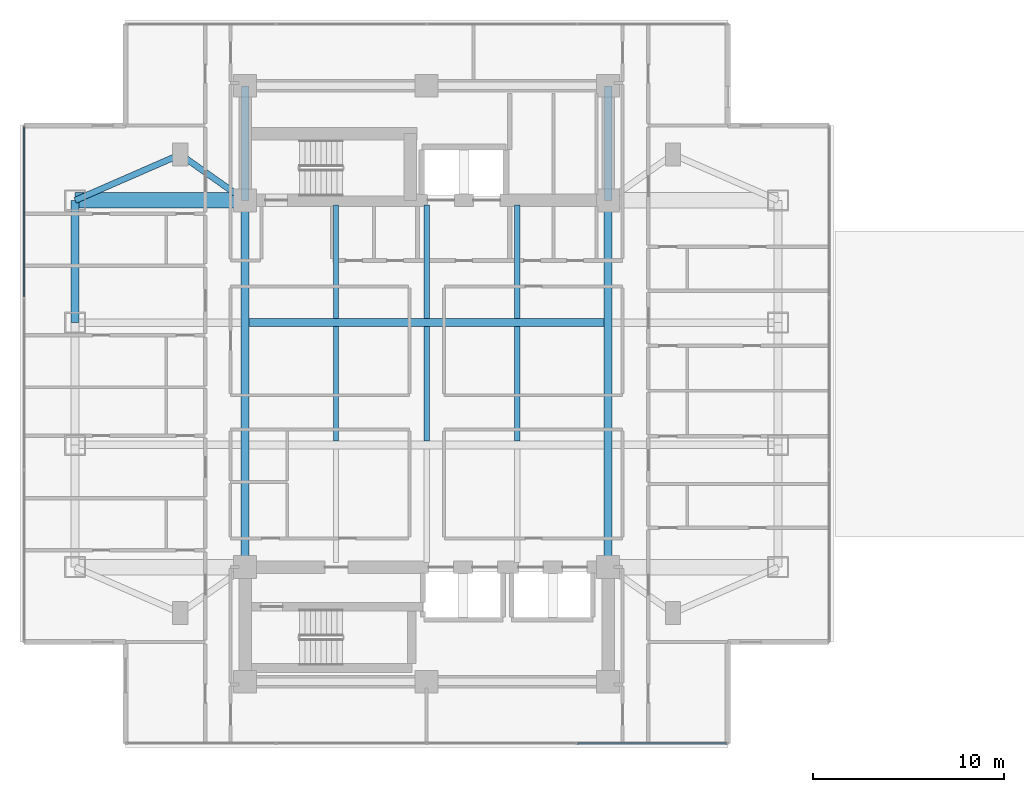
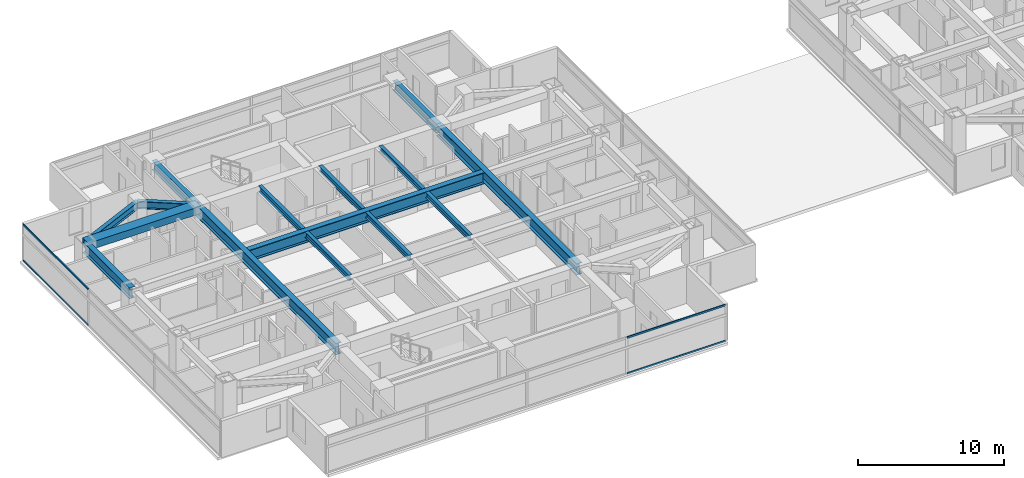
# One storey, part 3 of 26: 15 beams, 4 members, 2 elements without a shape of their own.
"""IFC4 building model written with IfcOpenShell, lengths in metres."""

from ifc_helpers import new_model, si_unit, direction, frame, origin, origin_2d, place, context, subcontext, project, spatial, rectangle, i_section, extrude, material, material_profile, profile_set, type_object, element, aggregate, save


model = new_model("IFC4")

# Units and contexts
model_context = context("Model", 3, precision=1e-05, world=origin(), true_north=direction((0.0, 1.0)))
body_context = subcontext(model_context, "Body", "Model", "MODEL_VIEW")
ifc_project = project(units=[si_unit("LENGTHUNIT", "METRE"), si_unit("AREAUNIT", "SQUARE_METRE"), si_unit("VOLUMEUNIT", "CUBIC_METRE"), si_unit("PLANEANGLEUNIT", "RADIAN"), si_unit("MASSUNIT", "GRAM", prefix="KILO")], contexts=[model_context])

# Site, building, storey
site_placement = place(None, origin())
site = spatial("IfcSite", under=ifc_project, at=site_placement, CompositionType="ELEMENT")
building_placement = place(site_placement, origin())
building = spatial("IfcBuilding", under=site, at=building_placement, Name="Mirazonda Arch Towers", CompositionType="ELEMENT")
storey_placement = place(building_placement, frame((0.0, 0.0, 98.300048828125)))
storey = spatial("IfcBuildingStorey", under=building, at=storey_placement, Name="L27", CompositionType="ELEMENT", Elevation=98.300048828125)

# Beams
ifc_material_1 = material(Name="Steel ASTM A992 Grade 50", Category="steel")
ifc_material_profile_1 = material_profile(ifc_material_1, i_section(OverallWidth=0.41796875, OverallDepth=0.927001953125, WebThickness=0.019287109375, FlangeThickness=0.031982421875, at=origin_2d()), Name="W36X231")
ifc_profile_set_1 = profile_set([ifc_material_profile_1], Name="Steel ASTM A992 Grade 50")
beam_type_1 = type_object("IfcBeamType", Name="BM-EXT-W36X231", PredefinedType="USERDEFINED", material=ifc_profile_set_1)
beam_1_placement = place(storey_placement, frame((2.10009765625, 31.199951171875, 2.616455078125), z_axis=(0.0, 1.0, 0.0), x_axis=(-1.0, 0.0, 0.0)))
element("IfcBeam", 1, at=beam_1_placement, inside=storey, type_object=beam_type_1, Name="L27 Floor Beam BM-T1-L27-NS-W-31", ObjectType="GIRDER", PredefinedType="USERDEFINED", context=body_context, shape_type="SweptSolid", body=[
    extrude(i_section(OverallWidth=0.41796875, OverallDepth=0.927001953125, WebThickness=0.019287109375, FlangeThickness=0.031982421875, at=origin_2d()), origin(), (0.0, 0.0, 1.0), 6.400146484375),
])
ifc_material_profile_2 = material_profile(ifc_material_1, i_section(OverallWidth=0.280029296875, OverallDepth=0.462890625, WebThickness=0.0107421875, FlangeThickness=0.017333984375, at=origin_2d()), Name="W18X76")
ifc_profile_set_2 = profile_set([ifc_material_profile_2], Name="Steel ASTM A992 Grade 50")
beam_type_2 = type_object("IfcBeamType", Name="BM-INT-W18X76", PredefinedType="JOIST", material=ifc_profile_set_2)
beam_2_placement = place(storey_placement, frame((15.75, 31.407470703125, 2.848388671875), z_axis=(0.0, 1.0, 0.0), x_axis=(-1.0, 0.0, 0.0)))
element("IfcBeam", 2, at=beam_2_placement, inside=storey, type_object=beam_type_2, Name="L27 Floor Beam BM-T1-L27-J-157-31", PredefinedType="JOIST", context=body_context, shape_type="SweptSolid", body=[
    extrude(i_section(OverallWidth=0.280029296875, OverallDepth=0.462890625, WebThickness=0.0107421875, FlangeThickness=0.017333984375, at=origin_2d()), origin(), (0.0, 0.0, 1.0), 5.95263671875),
])
beam_3_placement = place(storey_placement, frame((15.75, 25.007568359375, 2.848388671875), z_axis=(0.0, 1.0, 0.0), x_axis=(-1.0, 0.0, 0.0)))
element("IfcBeam", 3, at=beam_3_placement, inside=storey, type_object=beam_type_2, Name="L27 Floor Beam BM-T1-L27-J-157-24", PredefinedType="JOIST", context=body_context, shape_type="SweptSolid", body=[
    extrude(i_section(OverallWidth=0.280029296875, OverallDepth=0.462890625, WebThickness=0.0107421875, FlangeThickness=0.017333984375, at=origin_2d()), origin(), (0.0, 0.0, 1.0), 5.98486328125),
])
beam_4_placement = place(storey_placement, frame((20.5, 31.407470703125, 2.848388671875), z_axis=(0.0, 1.0, 0.0), x_axis=(-1.0, 0.0, 0.0)))
element("IfcBeam", 4, at=beam_4_placement, inside=storey, type_object=beam_type_2, Name="L27 Floor Beam BM-T1-L27-J-205-31", PredefinedType="JOIST", context=body_context, shape_type="SweptSolid", body=[
    extrude(i_section(OverallWidth=0.280029296875, OverallDepth=0.462890625, WebThickness=0.0107421875, FlangeThickness=0.017333984375, at=origin_2d()), origin(), (0.0, 0.0, 1.0), 5.95263671875),
])
beam_5_placement = place(storey_placement, frame((20.5, 25.007568359375, 2.848388671875), z_axis=(0.0, 1.0, 0.0), x_axis=(-1.0, 0.0, 0.0)))
element("IfcBeam", 5, at=beam_5_placement, inside=storey, type_object=beam_type_2, Name="L27 Floor Beam BM-T1-L27-J-205-24", PredefinedType="JOIST", context=body_context, shape_type="SweptSolid", body=[
    extrude(i_section(OverallWidth=0.280029296875, OverallDepth=0.462890625, WebThickness=0.0107421875, FlangeThickness=0.017333984375, at=origin_2d()), origin(), (0.0, 0.0, 1.0), 5.98486328125),
])
beam_6_placement = place(storey_placement, frame((25.25, 31.407470703125, 2.848388671875), z_axis=(0.0, 1.0, 0.0), x_axis=(-1.0, 0.0, 0.0)))
element("IfcBeam", 6, at=beam_6_placement, inside=storey, type_object=beam_type_2, Name="L27 Floor Beam BM-T1-L27-J-252-31", PredefinedType="JOIST", context=body_context, shape_type="SweptSolid", body=[
    extrude(i_section(OverallWidth=0.280029296875, OverallDepth=0.462890625, WebThickness=0.0107421875, FlangeThickness=0.017333984375, at=origin_2d()), origin(), (0.0, 0.0, 1.0), 5.95263671875),
])
beam_7_placement = place(storey_placement, frame((25.25, 25.007568359375, 2.848388671875), z_axis=(0.0, 1.0, 0.0), x_axis=(-1.0, 0.0, 0.0)))
element("IfcBeam", 7, at=beam_7_placement, inside=storey, type_object=beam_type_2, Name="L27 Floor Beam BM-T1-L27-J-252-24", PredefinedType="JOIST", context=body_context, shape_type="SweptSolid", body=[
    extrude(i_section(OverallWidth=0.280029296875, OverallDepth=0.462890625, WebThickness=0.0107421875, FlangeThickness=0.017333984375, at=origin_2d()), origin(), (0.0, 0.0, 1.0), 5.98486328125),
])
ifc_material_profile_3 = material_profile(ifc_material_1, i_section(OverallWidth=0.324951171875, OverallDepth=0.615966796875, WebThickness=0.013916015625, FlangeThickness=0.021484375, at=origin_2d()), Name="W24X117")
ifc_profile_set_3 = profile_set([ifc_material_profile_3], Name="Steel ASTM A992 Grade 50")
beam_type_3 = type_object("IfcBeamType", Name="BM-INT-W24X117", PredefinedType="BEAM", material=ifc_profile_set_3)
beam_8_placement = place(storey_placement, frame((7.60009765625, 40.0, 2.77197265625), z_axis=(0.816971114901, -0.576678591087, 0.0), x_axis=(0.576678591087, 0.816971114901, 0.0)))
element("IfcBeam", 8, at=beam_8_placement, inside=storey, type_object=beam_type_3, Name="L27 Floor Beam BM-T1-L27-PL-NW1", PredefinedType="BEAM", context=body_context, shape_type="SweptSolid", body=[
    extrude(i_section(OverallWidth=0.324951171875, OverallDepth=0.615966796875, WebThickness=0.013916015625, FlangeThickness=0.021484375, at=origin_2d()), origin(), (0.0, 0.0, 1.0), 4.16162109375),
])
beam_9_placement = place(storey_placement, frame((7.60009765625, 40.0, 2.77197265625), z_axis=(-0.916545343703, -0.399930785183, 0.0), x_axis=(0.399930785183, -0.916545343703, 0.0)))
element("IfcBeam", 9, at=beam_9_placement, inside=storey, type_object=beam_type_3, Name="L27 Floor Beam BM-T1-L27-PL-NW2", PredefinedType="BEAM", context=body_context, shape_type="SweptSolid", body=[
    extrude(i_section(OverallWidth=0.324951171875, OverallDepth=0.615966796875, WebThickness=0.013916015625, FlangeThickness=0.021484375, at=origin_2d()), origin(), (0.0, 0.0, 1.0), 6.000732421875),
])
ifc_material_profile_4 = material_profile(ifc_material_1, i_section(OverallWidth=0.381103515625, OverallDepth=0.77294921875, WebThickness=0.0166015625, FlangeThickness=0.027099609375, at=origin_2d()), Name="W30X173")
ifc_profile_set_4 = profile_set([ifc_material_profile_4], Name="Steel ASTM A992 Grade 50")
beam_type_4 = type_object("IfcBeamType", Name="BM-INT-W30X173", PredefinedType="USERDEFINED", material=ifc_profile_set_4)
for number, where, z_axis, x_axis, name in (
    (10, (11.0, 37.60009765625, 2.693359375), (0.0, 1.0, 0.0), (-1.0, 0.0, 0.0), "L27 Floor Beam BM-T1-L27-CNW"),
    (11, (30.0, 37.60009765625, 2.693359375), (0.0, 1.0, 0.0), (-1.0, 0.0, 0.0), "L27 Floor Beam BM-T1-L27-CNE"),
):
    element("IfcBeam", number, at=place(storey_placement, frame(where, z_axis=z_axis, x_axis=x_axis)), inside=storey, type_object=beam_type_4, Name=name, ObjectType="GIRDER", PredefinedType="USERDEFINED", context=body_context, shape_type="SweptSolid", body=[
        extrude(i_section(OverallWidth=0.381103515625, OverallDepth=0.77294921875, WebThickness=0.0166015625, FlangeThickness=0.027099609375, at=origin_2d()), origin(), (0.0, 0.0, 1.0), 6.0),
    ])
ifc_material_profile_5 = material_profile(ifc_material_1, i_section(OverallWidth=0.423095703125, OverallDepth=0.947998046875, WebThickness=0.02392578125, FlangeThickness=0.042724609375, at=origin_2d()), Name="W36X302")
ifc_profile_set_5 = profile_set([ifc_material_profile_5], Name="Steel ASTM A992 Grade 50")
beam_type_5 = type_object("IfcBeamType", Name="BM-INT-W36X302", PredefinedType="USERDEFINED", material=ifc_profile_set_5)
beam_10_placement = place(storey_placement, frame((11.21142578125, 31.199951171875, 2.60595703125), z_axis=(1.0, 0.0, 0.0), x_axis=(0.0, 1.0, 0.0)))
element("IfcBeam", 12, at=beam_10_placement, inside=storey, type_object=beam_type_5, Name="L27 Floor Beam BM-T1-L27-GC3", ObjectType="GIRDER", PredefinedType="USERDEFINED", context=body_context, shape_type="SweptSolid", body=[
    extrude(i_section(OverallWidth=0.423095703125, OverallDepth=0.947998046875, WebThickness=0.02392578125, FlangeThickness=0.042724609375, at=origin_2d()), origin(), (0.0, 0.0, 1.0), 18.5771484375),
])
for number, where, z_axis, x_axis, name in (
    (13, (11.0, 18.39990234375, 2.60595703125), (0.0, 1.0, 0.0), (-1.0, 0.0, 0.0), "L27 Floor Beam BM-T1-L27-NS-CW-FULL"),
    (14, (30.0, 18.39990234375, 2.60595703125), (0.0, 1.0, 0.0), (-1.0, 0.0, 0.0), "L27 Floor Beam BM-T1-L27-NS-CE-FULL"),
):
    element("IfcBeam", number, at=place(storey_placement, frame(where, z_axis=z_axis, x_axis=x_axis)), inside=storey, type_object=beam_type_5, Name=name, ObjectType="GIRDER", PredefinedType="USERDEFINED", context=body_context, shape_type="SweptSolid", body=[
        extrude(i_section(OverallWidth=0.423095703125, OverallDepth=0.947998046875, WebThickness=0.02392578125, FlangeThickness=0.042724609375, at=origin_2d()), origin(), (0.0, 0.0, 1.0), 19.2001953125),
    ])
ifc_material_2 = material(Name="Concrete C60/75", Category="concrete")
ifc_material_profile_6 = material_profile(ifc_material_2, rectangle(XDim=0.800048828125, YDim=0.60009765625, at=origin_2d()), Name="RCCB800x600")
ifc_profile_set_6 = profile_set([ifc_material_profile_6], Name="Concrete C60/75")
beam_type_6 = type_object("IfcBeamType", Name="CB-INT-RCCB800x600", PredefinedType="SPANDREL", material=ifc_profile_set_6)
beam_11_placement = place(storey_placement, frame((2.10009765625, 37.60009765625, 2.780029296875), z_axis=(1.0, 0.0, 0.0), x_axis=(0.0, 1.0, 0.0)))
element("IfcBeam", 15, at=beam_11_placement, inside=storey, type_object=beam_type_6, Name="L27 Floor Beam CBC-T1-L27-NW", PredefinedType="SPANDREL", context=body_context, shape_type="SweptSolid", body=[
    extrude(rectangle(XDim=0.800048828125, YDim=0.60009765625, at=origin_2d()), origin(), (0.0, 0.0, 1.0), 8.89990234375),
])

# Curtain wall, members
ifc_material_3 = material(Name="Anodised Aluminium and Low-E Glass", Category="aluminium")
curtain_wall_type = type_object("IfcCurtainWallType", Name="CW-HTL-UNIT", PredefinedType="NOTDEFINED", material=ifc_material_3)
curtain_wall_1_placement = place(storey_placement, origin())
curtain_wall_1 = element("IfcCurtainWall", 16, at=curtain_wall_1_placement, inside=storey, type_object=curtain_wall_type, Name="L27 T1 S Facade CW-L27-T1-S", PredefinedType="NOTDEFINED")
ifc_material_4 = material(Name="Anodised Aluminium Alloy", Category="aluminium")
ifc_material_profile_7 = material_profile(ifc_material_4, rectangle(XDim=0.074951171875, YDim=0.14501953125, at=origin_2d()), Name="ALU-TRAN-75x145")
ifc_profile_set_7 = profile_set([ifc_material_profile_7], Name="Anodised Aluminium Alloy")
member_type = type_object("IfcMemberType", Name="TRAN-CW-HTL-UNIT", PredefinedType="USERDEFINED", material=ifc_profile_set_7)
member_1_placement = place(storey_placement, frame((36.18994140625, 9.176025390625, 0.037353515625), z_axis=(-1.0, 0.0, 0.0), x_axis=(0.0, -1.0, 0.0)))
member_1 = element("IfcMember", 17, at=member_1_placement, type_object=member_type, Name="CW-112 transom 1.1", ObjectType="TRANSOM", PredefinedType="USERDEFINED", context=body_context, shape_type="SweptSolid", body=[
    extrude(rectangle(XDim=0.074951171875, YDim=0.14501953125, at=origin_2d()), origin(), (0.0, 0.0, 1.0), 7.77001953125),
])
member_2_placement = place(storey_placement, frame((36.18994140625, 9.176025390625, 3.0224609375), z_axis=(-1.0, 0.0, 0.0), x_axis=(0.0, -1.0, 0.0)))
member_2 = element("IfcMember", 18, at=member_2_placement, type_object=member_type, Name="CW-112 transom 1.2", ObjectType="TRANSOM", PredefinedType="USERDEFINED", context=body_context, shape_type="SweptSolid", body=[
    extrude(rectangle(XDim=0.074951171875, YDim=0.14501953125, at=origin_2d()), origin(), (0.0, 0.0, 1.0), 7.77001953125),
])
aggregate(curtain_wall_1, [member_1, member_2])

curtain_wall_2_placement = place(storey_placement, origin())
curtain_wall_2 = element("IfcCurtainWall", 19, at=curtain_wall_2_placement, inside=storey, type_object=curtain_wall_type, Name="L27 T1 W Facade CW-L27-T1-W", PredefinedType="NOTDEFINED")
member_3_placement = place(storey_placement, frame((-0.570068359375, 41.444091796875, 0.037353515625), z_axis=(0.0, -1.0, 0.0), x_axis=(1.0, 0.0, 0.0)))
member_3 = element("IfcMember", 20, at=member_3_placement, type_object=member_type, Name="CW-112 transom 1.1", ObjectType="TRANSOM", PredefinedType="USERDEFINED", context=body_context, shape_type="SweptSolid", body=[
    extrude(rectangle(XDim=0.074951171875, YDim=0.14501953125, at=origin_2d()), origin(), (0.0, 0.0, 1.0), 8.900146484375),
])
member_4_placement = place(storey_placement, frame((-0.570068359375, 41.444091796875, 3.0224609375), z_axis=(0.0, -1.0, 0.0), x_axis=(1.0, 0.0, 0.0)))
member_4 = element("IfcMember", 21, at=member_4_placement, type_object=member_type, Name="CW-112 transom 1.2", ObjectType="TRANSOM", PredefinedType="USERDEFINED", context=body_context, shape_type="SweptSolid", body=[
    extrude(rectangle(XDim=0.074951171875, YDim=0.14501953125, at=origin_2d()), origin(), (0.0, 0.0, 1.0), 8.900146484375),
])
aggregate(curtain_wall_2, [member_3, member_4])

save(model, "model.ifc")
